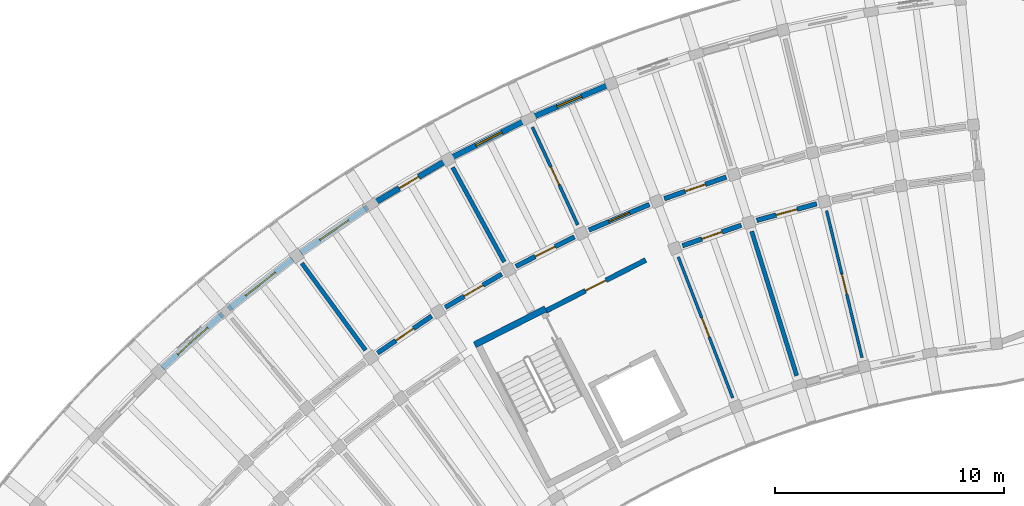
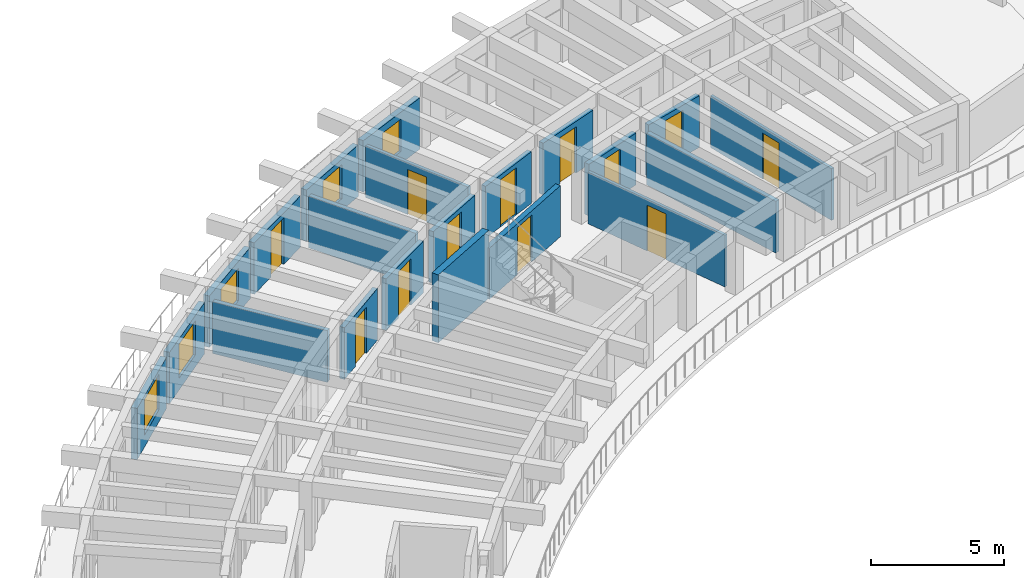
# One storey, part 28 of 56: 21 walls, 12 doors, 5 windows, 17 openings.
"""IFC4 building model written with IfcOpenShell, lengths in metres."""

from ifc_helpers import new_model, si_unit, direction, frame, frame_2d, origin, place, context, subcontext, project, spatial, rectangle, extrude, material, layer, layer_set, type_object, element, fill, save


model = new_model("IFC4")

# Units and contexts
model_context = context("Model", 3, precision=1e-05, world=origin(), true_north=direction((0.0, 1.0)))
body_context = subcontext(model_context, "Body", "Model", "MODEL_VIEW")
ifc_project = project(units=[si_unit("LENGTHUNIT", "METRE"), si_unit("AREAUNIT", "SQUARE_METRE"), si_unit("VOLUMEUNIT", "CUBIC_METRE"), si_unit("PLANEANGLEUNIT", "RADIAN"), si_unit("MASSUNIT", "GRAM", prefix="KILO")], contexts=[model_context])

# Site, building, storey
site_placement = place(None, origin())
site = spatial("IfcSite", under=ifc_project, at=site_placement, CompositionType="ELEMENT")
building_placement = place(site_placement, origin())
building = spatial("IfcBuilding", under=site, at=building_placement, Name="Tanwirah Colonnade Gardens", CompositionType="ELEMENT")
storey_placement = place(building_placement, frame((0.0, 0.0, 29.0)))
storey = spatial("IfcBuildingStorey", under=building, at=storey_placement, Name="L08", CompositionType="ELEMENT", Elevation=29.0)

# Wall, opening, window
ifc_material_1 = material(Name="Limestone architectural precast concrete C40/50", Category="masonry")
ifc_layer_1 = layer(ifc_material_1, 0.2451171875)
ifc_layer_set_1 = layer_set([ifc_layer_1], Name="Limestone architectural precast concrete C40/50")
wall_type_1 = type_object("IfcWallType", Name="EW-PC245", PredefinedType="SOLIDWALL", material=ifc_layer_set_1)
wall_1_placement = place(storey_placement, frame((43.348876953125, 115.667236328125, 0.0), z_axis=(0.0, 0.0, 1.0), x_axis=(-0.920498375564, -0.390746389088, 0.0)))
wall_1 = element("IfcWall", 1, at=wall_1_placement, inside=storey, type_object=wall_type_1, Name="Block A L08 OUT Precast Facade Wall 4", PredefinedType="SOLIDWALL", context=body_context, shape_type="SweptSolid", body=[
    extrude(rectangle(XDim=3.540771484375, YDim=0.2451171875, at=frame_2d((1.7705078125, 0.0))), origin(), (0.0, 0.0, 1.0), 2.35498046875),
])
opening_1_placement = place(wall_1_placement, frame((1.190185546875, 0.0, 0.550048828125)))
opening_1 = element("IfcOpeningElement", 2, at=opening_1_placement, cuts=wall_1, Name="Opening WIN-U01", PredefinedType="OPENING", context=body_context, shape_type="SweptSolid", body=[
    extrude(rectangle(XDim=1.159912109375, YDim=1.485107421875, at=frame_2d((0.580078125, 0.74267578125))), frame((0.0, 0.132568359375, 0.0), z_axis=(0.0, -1.0, 0.0), x_axis=(1.0, 0.0, 0.0)), (0.0, 0.0, 1.0), 0.26513671875),
])
ifc_material_2 = material(Name="Thermally broken bronze aluminium and solar low-E double glazing", Category="aluminium")
window_type_1 = type_object("IfcWindowType", Name="WIN-U01", PartitioningType="DOUBLE_PANEL_VERTICAL", PredefinedType="WINDOW", material=ifc_material_2)
window_1_placement = place(opening_1_placement, origin())
window_1 = element("IfcWindow", 3, at=window_1_placement, inside=storey, type_object=window_type_1, Name="Facade window A-L08-OUT-04", OverallHeight=1.485107421875, OverallWidth=1.159912109375, PartitioningType="SINGLE_PANEL", PredefinedType="WINDOW", context=body_context, shape_type="SweptSolid", body=[
    extrude(rectangle(XDim=1.159912109375, YDim=1.485107421875, at=frame_2d((0.580078125, 0.74267578125))), frame((0.0, 0.030029296875, 0.0), z_axis=(0.0, -1.0, 0.0), x_axis=(1.0, 0.0, 0.0)), (0.0, 0.0, 1.0), 0.06005859375),
])
fill(opening_1, window_1)

wall_2_placement = place(storey_placement, frame((39.79052734375, 114.14501953125, 0.0), z_axis=(0.0, 0.0, 1.0), x_axis=(-0.892766264705, -0.450520140066, 0.0)))
wall_2 = element("IfcWall", 4, at=wall_2_placement, inside=storey, type_object=wall_type_1, Name="Block A L08 OUT Precast Facade Wall 5", PredefinedType="SOLIDWALL", context=body_context, shape_type="SweptSolid", body=[
    extrude(rectangle(XDim=3.540771484375, YDim=0.2451171875, at=frame_2d((1.7705078125, 0.0))), origin(), (0.0, 0.0, 1.0), 2.35498046875),
])
opening_2_placement = place(wall_2_placement, frame((1.13037109375, 0.0, 0.550048828125)))
opening_2 = element("IfcOpeningElement", 5, at=opening_2_placement, cuts=wall_2, Name="Opening WIN-U04", PredefinedType="OPENING", context=body_context, shape_type="SweptSolid", body=[
    extrude(rectangle(XDim=1.280029296875, YDim=1.56005859375, at=frame_2d((0.64013671875, 0.780029296875))), frame((0.0, 0.132568359375, 0.0), z_axis=(0.0, -1.0, 0.0), x_axis=(1.0, 0.0, 0.0)), (0.0, 0.0, 1.0), 0.26513671875),
])
window_type_2 = type_object("IfcWindowType", Name="WIN-U04", PartitioningType="DOUBLE_PANEL_VERTICAL", PredefinedType="WINDOW", material=ifc_material_2)
window_2_placement = place(opening_2_placement, origin())
window_2 = element("IfcWindow", 6, at=window_2_placement, inside=storey, type_object=window_type_2, Name="Facade window A-L08-OUT-05", OverallHeight=1.56005859375, OverallWidth=1.280029296875, PartitioningType="SINGLE_PANEL", PredefinedType="WINDOW", context=body_context, shape_type="SweptSolid", body=[
    extrude(rectangle(XDim=1.280029296875, YDim=1.56005859375, at=frame_2d((0.64013671875, 0.780029296875))), frame((0.0, 0.030029296875, 0.0), z_axis=(0.0, -1.0, 0.0), x_axis=(1.0, 0.0, 0.0)), (0.0, 0.0, 1.0), 0.06005859375),
])
fill(opening_2, window_2)

# Wall, opening, door
wall_3_placement = place(storey_placement, frame((36.24365234375, 112.3388671875, 0.0), z_axis=(0.0, 0.0, 1.0), x_axis=(-0.861133733249, -0.508378494294, 0.0)))
wall_3 = element("IfcWall", 7, at=wall_3_placement, inside=storey, type_object=wall_type_1, Name="Block A L08 OUT Precast Facade Wall 6", PredefinedType="SOLIDWALL", context=body_context, shape_type="SweptSolid", body=[
    extrude(rectangle(XDim=3.540771484375, YDim=0.2451171875, at=frame_2d((1.7705078125, 0.0))), origin(), (0.0, 0.0, 1.0), 2.35498046875),
])
opening_3_placement = place(wall_3_placement, frame((1.2802734375, 0.0, 0.0)))
opening_3 = element("IfcOpeningElement", 8, at=opening_3_placement, cuts=wall_3, Name="Opening L08-ED038", PredefinedType="OPENING", context=body_context, shape_type="SweptSolid", body=[
    extrude(rectangle(XDim=0.97998046875, YDim=2.1201171875, at=frame_2d((0.489990234375, 1.06005859375))), frame((0.0, 0.132568359375, 0.0), z_axis=(0.0, -1.0, 0.0), x_axis=(1.0, 0.0, 0.0)), (0.0, 0.0, 1.0), 0.26513671875),
])
ifc_material_3 = material(Name="Bronze aluminium glazed balcony door", Category="aluminium")
door_type_1 = type_object("IfcDoorType", Name="ED-BAL098", OperationType="NOTDEFINED", PredefinedType="DOOR", material=ifc_material_3)
door_1_placement = place(opening_3_placement, origin())
door_1 = element("IfcDoor", 9, at=door_1_placement, inside=storey, type_object=door_type_1, Name="Balcony glazed door L08-ED038", OperationType="SINGLE_SWING_LEFT", OverallHeight=2.1201171875, OverallWidth=0.97998046875, PredefinedType="DOOR", context=body_context, shape_type="SweptSolid", body=[
    extrude(rectangle(XDim=0.97998046875, YDim=2.1201171875, at=frame_2d((0.489990234375, 1.06005859375))), frame((0.0, 0.02490234375, 0.0), z_axis=(0.0, -1.0, 0.0), x_axis=(1.0, 0.0, 0.0)), (0.0, 0.0, 1.0), 0.050048828125),
])
fill(opening_3, door_1)

# Wall, opening, window
wall_4_placement = place(storey_placement, frame((32.916259765625, 110.36181640625, 0.0), z_axis=(0.0, 0.0, 1.0), x_axis=(-0.825792366032, -0.563974262005, 0.0)))
wall_4 = element("IfcWall", 10, at=wall_4_placement, inside=storey, type_object=wall_type_1, Name="Block A L08 OUT Precast Facade Wall 7", PredefinedType="SOLIDWALL", context=body_context, shape_type="SweptSolid", body=[
    extrude(rectangle(XDim=3.54052734375, YDim=0.2451171875, at=frame_2d((1.770263671875, 0.0))), origin(), (0.0, 0.0, 1.0), 2.35498046875),
])
opening_4_placement = place(wall_4_placement, frame((1.01025390625, 0.0, 0.550048828125)))
opening_4 = element("IfcOpeningElement", 11, at=opening_4_placement, cuts=wall_4, Name="Opening WIN-U10", PredefinedType="OPENING", context=body_context, shape_type="SweptSolid", body=[
    extrude(rectangle(XDim=1.52001953125, YDim=1.485107421875, at=frame_2d((0.760009765625, 0.74267578125))), frame((0.0, 0.132568359375, 0.0), z_axis=(0.0, -1.0, 0.0), x_axis=(1.0, 0.0, 0.0)), (0.0, 0.0, 1.0), 0.26513671875),
])
window_type_3 = type_object("IfcWindowType", Name="WIN-U10", PartitioningType="DOUBLE_PANEL_VERTICAL", PredefinedType="WINDOW", material=ifc_material_2)
window_3_placement = place(opening_4_placement, origin())
window_3 = element("IfcWindow", 12, at=window_3_placement, inside=storey, type_object=window_type_3, Name="Facade window A-L08-OUT-07", OverallHeight=1.485107421875, OverallWidth=1.52001953125, PartitioningType="SINGLE_PANEL", PredefinedType="WINDOW", context=body_context, shape_type="SweptSolid", body=[
    extrude(rectangle(XDim=1.52001953125, YDim=1.485107421875, at=frame_2d((0.760009765625, 0.74267578125))), frame((0.0, 0.030029296875, 0.0), z_axis=(0.0, -1.0, 0.0), x_axis=(1.0, 0.0, 0.0)), (0.0, 0.0, 1.0), 0.06005859375),
])
fill(opening_4, window_3)

wall_5_placement = place(storey_placement, frame((29.6376953125, 108.10498046875, 0.0), z_axis=(0.0, 0.0, 1.0), x_axis=(-0.786813367299, -0.617190995592, 0.0)))
wall_5 = element("IfcWall", 13, at=wall_5_placement, inside=storey, type_object=wall_type_1, Name="Block A L08 OUT Precast Facade Wall 8", PredefinedType="SOLIDWALL", context=body_context, shape_type="SweptSolid", body=[
    extrude(rectangle(XDim=3.540771484375, YDim=0.2451171875, at=frame_2d((1.7705078125, 0.0))), origin(), (0.0, 0.0, 1.0), 2.35498046875),
])
opening_5_placement = place(wall_5_placement, frame((0.950439453125, 0.0, 0.550048828125)))
opening_5 = element("IfcOpeningElement", 14, at=opening_5_placement, cuts=wall_5, Name="Opening WIN-U13", PredefinedType="OPENING", context=body_context, shape_type="SweptSolid", body=[
    extrude(rectangle(XDim=1.639892578125, YDim=1.56005859375, at=frame_2d((0.81982421875, 0.780029296875))), frame((0.0, 0.132568359375, 0.0), z_axis=(0.0, -1.0, 0.0), x_axis=(1.0, 0.0, 0.0)), (0.0, 0.0, 1.0), 0.26513671875),
])
window_type_4 = type_object("IfcWindowType", Name="WIN-U13", PartitioningType="DOUBLE_PANEL_VERTICAL", PredefinedType="WINDOW", material=ifc_material_2)
window_4_placement = place(opening_5_placement, origin())
window_4 = element("IfcWindow", 15, at=window_4_placement, inside=storey, type_object=window_type_4, Name="Facade window A-L08-OUT-08", OverallHeight=1.56005859375, OverallWidth=1.639892578125, PartitioningType="SINGLE_PANEL", PredefinedType="WINDOW", context=body_context, shape_type="SweptSolid", body=[
    extrude(rectangle(XDim=1.639892578125, YDim=1.56005859375, at=frame_2d((0.81982421875, 0.780029296875))), frame((0.0, 0.030029296875, 0.0), z_axis=(0.0, -1.0, 0.0), x_axis=(1.0, 0.0, 0.0)), (0.0, 0.0, 1.0), 0.06005859375),
])
fill(opening_5, window_4)

wall_6_placement = place(storey_placement, frame((26.59912109375, 105.707763671875, 0.0), z_axis=(0.0, 0.0, 1.0), x_axis=(-0.744438243575, -0.667691322021, 0.0)))
wall_6 = element("IfcWall", 16, at=wall_6_placement, inside=storey, type_object=wall_type_1, Name="Block A L08 OUT Precast Facade Wall 9", PredefinedType="SOLIDWALL", context=body_context, shape_type="SweptSolid", body=[
    extrude(rectangle(XDim=3.54052734375, YDim=0.2451171875, at=frame_2d((1.770263671875, 0.0))), origin(), (0.0, 0.0, 1.0), 2.35498046875),
])
opening_6_placement = place(wall_6_placement, frame((0.890380859375, 0.0, 0.550048828125)))
opening_6 = element("IfcOpeningElement", 17, at=opening_6_placement, cuts=wall_6, Name="Opening WIN-U16", PredefinedType="OPENING", context=body_context, shape_type="SweptSolid", body=[
    extrude(rectangle(XDim=1.760009765625, YDim=1.635009765625, at=frame_2d((0.8798828125, 0.8173828125))), frame((0.0, 0.132568359375, 0.0), z_axis=(0.0, -1.0, 0.0), x_axis=(1.0, 0.0, 0.0)), (0.0, 0.0, 1.0), 0.26513671875),
])
window_type_5 = type_object("IfcWindowType", Name="WIN-U16", PartitioningType="DOUBLE_PANEL_VERTICAL", PredefinedType="WINDOW", material=ifc_material_2)
window_5_placement = place(opening_6_placement, origin())
window_5 = element("IfcWindow", 18, at=window_5_placement, inside=storey, type_object=window_type_5, Name="Facade window A-L08-OUT-09", OverallHeight=1.635009765625, OverallWidth=1.760009765625, PartitioningType="SINGLE_PANEL", PredefinedType="WINDOW", context=body_context, shape_type="SweptSolid", body=[
    extrude(rectangle(XDim=1.760009765625, YDim=1.635009765625, at=frame_2d((0.8798828125, 0.8173828125))), frame((0.0, 0.030029296875, 0.0), z_axis=(0.0, -1.0, 0.0), x_axis=(1.0, 0.0, 0.0)), (0.0, 0.0, 1.0), 0.06005859375),
])
fill(opening_6, window_5)

# Wall, opening, door
ifc_material_4 = material(Name="Precast concrete C40/50", Category="concrete")
ifc_layer_2 = layer(ifc_material_4, 0.205078125)
ifc_layer_set_2 = layer_set([ifc_layer_2], Name="Precast concrete C40/50")
wall_type_2 = type_object("IfcWallType", Name="IW-CORR205", PredefinedType="PARTITIONING", material=ifc_layer_set_2)
wall_7_placement = place(storey_placement, frame((52.509521484375, 110.512451171875, 0.0), z_axis=(0.0, 0.0, 1.0), x_axis=(-0.96388375821, -0.266323301006, 0.0)))
wall_7 = element("IfcWall", 19, at=wall_7_placement, inside=storey, type_object=wall_type_2, Name="Block A L08 IN Corridor Wall 2", PredefinedType="PARTITIONING", context=body_context, shape_type="SweptSolid", body=[
    extrude(rectangle(XDim=2.718017578125, YDim=0.205078125, at=frame_2d((1.35888671875, 0.0))), origin(), (0.0, 0.0, 1.0), 2.3701171875),
])
opening_7_placement = place(wall_7_placement, frame((0.884033203125, 0.0, 0.0)))
opening_7 = element("IfcOpeningElement", 20, at=opening_7_placement, cuts=wall_7, Name="Opening L08-AD563", PredefinedType="OPENING", context=body_context, shape_type="SweptSolid", body=[
    extrude(rectangle(XDim=0.949951171875, YDim=2.1298828125, at=frame_2d((0.47509765625, 1.06494140625))), frame((0.0, 0.112548828125, 0.0), z_axis=(0.0, -1.0, 0.0), x_axis=(1.0, 0.0, 0.0)), (0.0, 0.0, 1.0), 0.22509765625),
])
ifc_material_5 = material(Name="Solid oak fire-resisting apartment entrance door")
door_type_2 = type_object("IfcDoorType", Name="ID-FLT095", OperationType="NOTDEFINED", PredefinedType="DOOR", material=ifc_material_5)
door_2_placement = place(opening_7_placement, origin())
door_2 = element("IfcDoor", 21, at=door_2_placement, inside=storey, type_object=door_type_2, Name="Apartment corridor door L08-AD563", OperationType="SINGLE_SWING_RIGHT", OverallHeight=2.1298828125, OverallWidth=0.949951171875, PredefinedType="DOOR", context=body_context, shape_type="SweptSolid", body=[
    extrude(rectangle(XDim=0.949951171875, YDim=2.1298828125, at=frame_2d((0.47509765625, 1.06494140625))), frame((0.0, 0.02490234375, 0.0), z_axis=(0.0, -1.0, 0.0), x_axis=(1.0, 0.0, 0.0)), (0.0, 0.0, 1.0), 0.050048828125),
])
fill(opening_7, door_2)

wall_8_placement = place(storey_placement, frame((48.56640625, 111.68017578125, 0.0), z_axis=(0.0, 0.0, 1.0), x_axis=(-0.944253820929, -0.329218349522, 0.0)))
wall_8 = element("IfcWall", 22, at=wall_8_placement, inside=storey, type_object=wall_type_2, Name="Block A L08 OUT Corridor Wall 3", PredefinedType="PARTITIONING", context=body_context, shape_type="SweptSolid", body=[
    extrude(rectangle(XDim=2.86328125, YDim=0.205078125, at=frame_2d((1.431640625, 0.0))), origin(), (0.0, 0.0, 1.0), 2.3701171875),
])
opening_8_placement = place(wall_8_placement, frame((0.966552734375, 0.0, 0.0)))
opening_8 = element("IfcOpeningElement", 23, at=opening_8_placement, cuts=wall_8, Name="Opening L08-AD565", PredefinedType="OPENING", context=body_context, shape_type="SweptSolid", body=[
    extrude(rectangle(XDim=0.929931640625, YDim=2.1201171875, at=frame_2d((0.46484375, 1.06005859375))), frame((0.0, 0.112548828125, 0.0), z_axis=(0.0, -1.0, 0.0), x_axis=(1.0, 0.0, 0.0)), (0.0, 0.0, 1.0), 0.22509765625),
])
door_type_3 = type_object("IfcDoorType", Name="ID-FLT093", OperationType="NOTDEFINED", PredefinedType="DOOR", material=ifc_material_5)
door_3_placement = place(opening_8_placement, origin())
door_3 = element("IfcDoor", 24, at=door_3_placement, inside=storey, type_object=door_type_3, Name="Apartment corridor door L08-AD565", OperationType="SINGLE_SWING_RIGHT", OverallHeight=2.1201171875, OverallWidth=0.929931640625, PredefinedType="DOOR", context=body_context, shape_type="SweptSolid", body=[
    extrude(rectangle(XDim=0.929931640625, YDim=2.1201171875, at=frame_2d((0.46484375, 1.06005859375))), frame((0.0, 0.02490234375, 0.0), z_axis=(0.0, -1.0, 0.0), x_axis=(1.0, 0.0, 0.0)), (0.0, 0.0, 1.0), 0.050048828125),
])
fill(opening_8, door_3)

wall_9_placement = place(storey_placement, frame((49.221923828125, 109.580078125, 0.0), z_axis=(0.0, 0.0, 1.0), x_axis=(-0.944265123647, -0.329185929627, 0.0)))
wall_9 = element("IfcWall", 25, at=wall_9_placement, inside=storey, type_object=wall_type_2, Name="Block A L08 IN Corridor Wall 3", PredefinedType="PARTITIONING", context=body_context, shape_type="SweptSolid", body=[
    extrude(rectangle(XDim=2.71826171875, YDim=0.205078125, at=frame_2d((1.359130859375, 0.0))), origin(), (0.0, 0.0, 1.0), 2.3701171875),
])
opening_9_placement = place(wall_9_placement, frame((0.89404296875, 0.0, 0.0)))
opening_9 = element("IfcOpeningElement", 26, at=opening_9_placement, cuts=wall_9, Name="Opening L08-AD566", PredefinedType="OPENING", context=body_context, shape_type="SweptSolid", body=[
    extrude(rectangle(XDim=0.929931640625, YDim=2.1201171875, at=frame_2d((0.46484375, 1.06005859375))), frame((0.0, 0.112548828125, 0.0), z_axis=(0.0, -1.0, 0.0), x_axis=(1.0, 0.0, 0.0)), (0.0, 0.0, 1.0), 0.22509765625),
])
door_4_placement = place(opening_9_placement, origin())
door_4 = element("IfcDoor", 27, at=door_4_placement, inside=storey, type_object=door_type_3, Name="Apartment corridor door L08-AD566", OperationType="SINGLE_SWING_LEFT", OverallHeight=2.1201171875, OverallWidth=0.929931640625, PredefinedType="DOOR", context=body_context, shape_type="SweptSolid", body=[
    extrude(rectangle(XDim=0.929931640625, YDim=2.1201171875, at=frame_2d((0.46484375, 1.06005859375))), frame((0.0, 0.02490234375, 0.0), z_axis=(0.0, -1.0, 0.0), x_axis=(1.0, 0.0, 0.0)), (0.0, 0.0, 1.0), 0.050048828125),
])
fill(opening_9, door_4)

wall_10_placement = place(storey_placement, frame((45.210205078125, 110.485595703125, 0.0), z_axis=(0.0, 0.0, 1.0), x_axis=(-0.920511160294, -0.390716270168, 0.0)))
wall_10 = element("IfcWall", 28, at=wall_10_placement, inside=storey, type_object=wall_type_2, Name="Block A L08 OUT Corridor Wall 4", PredefinedType="PARTITIONING", context=body_context, shape_type="SweptSolid", body=[
    extrude(rectangle(XDim=2.863037109375, YDim=0.205078125, at=frame_2d((1.431640625, 0.0))), origin(), (0.0, 0.0, 1.0), 2.3701171875),
])
opening_10_placement = place(wall_10_placement, frame((0.9365234375, 0.0, 0.0)))
opening_10 = element("IfcOpeningElement", 29, at=opening_10_placement, cuts=wall_10, Name="Opening L08-AD568", PredefinedType="OPENING", context=body_context, shape_type="SweptSolid", body=[
    extrude(rectangle(XDim=0.989990234375, YDim=2.159912109375, at=frame_2d((0.4951171875, 1.080078125))), frame((0.0, 0.112548828125, 0.0), z_axis=(0.0, -1.0, 0.0), x_axis=(1.0, 0.0, 0.0)), (0.0, 0.0, 1.0), 0.22509765625),
])
door_type_4 = type_object("IfcDoorType", Name="ID-FLT099", OperationType="NOTDEFINED", PredefinedType="DOOR", material=ifc_material_5)
door_5_placement = place(opening_10_placement, origin())
door_5 = element("IfcDoor", 30, at=door_5_placement, inside=storey, type_object=door_type_4, Name="Apartment corridor door L08-AD568", OperationType="SINGLE_SWING_LEFT", OverallHeight=2.159912109375, OverallWidth=0.989990234375, PredefinedType="DOOR", context=body_context, shape_type="SweptSolid", body=[
    extrude(rectangle(XDim=0.989990234375, YDim=2.159912109375, at=frame_2d((0.4951171875, 1.080078125))), frame((0.0, 0.02490234375, 0.0), z_axis=(0.0, -1.0, 0.0), x_axis=(1.0, 0.0, 0.0)), (0.0, 0.0, 1.0), 0.050048828125),
])
fill(opening_10, door_5)

wall_11_placement = place(storey_placement, frame((41.93994140625, 109.072509765625, 0.0), z_axis=(0.0, 0.0, 1.0), x_axis=(-0.89273239336, -0.450587254419, 0.0)))
wall_11 = element("IfcWall", 31, at=wall_11_placement, inside=storey, type_object=wall_type_2, Name="Block A L08 OUT Corridor Wall 5", PredefinedType="PARTITIONING", context=body_context, shape_type="SweptSolid", body=[
    extrude(rectangle(XDim=2.863037109375, YDim=0.205078125, at=frame_2d((1.431640625, 0.0))), origin(), (0.0, 0.0, 1.0), 2.3701171875),
])
opening_11_placement = place(wall_11_placement, frame((0.946533203125, 0.0, 0.0)))
opening_11 = element("IfcOpeningElement", 32, at=opening_11_placement, cuts=wall_11, Name="Opening L08-AD570", PredefinedType="OPENING", context=body_context, shape_type="SweptSolid", body=[
    extrude(rectangle(XDim=0.969970703125, YDim=2.14990234375, at=frame_2d((0.48486328125, 1.074951171875))), frame((0.0, 0.112548828125, 0.0), z_axis=(0.0, -1.0, 0.0), x_axis=(1.0, 0.0, 0.0)), (0.0, 0.0, 1.0), 0.22509765625),
])
door_type_5 = type_object("IfcDoorType", Name="ID-FLT097", OperationType="NOTDEFINED", PredefinedType="DOOR", material=ifc_material_5)
door_6_placement = place(opening_11_placement, origin())
door_6 = element("IfcDoor", 33, at=door_6_placement, inside=storey, type_object=door_type_5, Name="Apartment corridor door L08-AD570", OperationType="SINGLE_SWING_RIGHT", OverallHeight=2.14990234375, OverallWidth=0.969970703125, PredefinedType="DOOR", context=body_context, shape_type="SweptSolid", body=[
    extrude(rectangle(XDim=0.969970703125, YDim=2.14990234375, at=frame_2d((0.48486328125, 1.074951171875))), frame((0.0, 0.02490234375, 0.0), z_axis=(0.0, -1.0, 0.0), x_axis=(1.0, 0.0, 0.0)), (0.0, 0.0, 1.0), 0.050048828125),
])
fill(opening_11, door_6)

wall_12_placement = place(storey_placement, frame((38.77001953125, 107.447021484375, 0.0), z_axis=(0.0, 0.0, 1.0), x_axis=(-0.861113214678, -0.508413248753, 0.0)))
wall_12 = element("IfcWall", 34, at=wall_12_placement, inside=storey, type_object=wall_type_2, Name="Block A L08 OUT Corridor Wall 6", PredefinedType="PARTITIONING", context=body_context, shape_type="SweptSolid", body=[
    extrude(rectangle(XDim=2.863037109375, YDim=0.205078125, at=frame_2d((1.431640625, 0.0))), origin(), (0.0, 0.0, 1.0), 2.3701171875),
])
opening_12_placement = place(wall_12_placement, frame((0.95654296875, 0.0, 0.0)))
opening_12 = element("IfcOpeningElement", 35, at=opening_12_placement, cuts=wall_12, Name="Opening L08-AD571", PredefinedType="OPENING", context=body_context, shape_type="SweptSolid", body=[
    extrude(rectangle(XDim=0.949951171875, YDim=2.1298828125, at=frame_2d((0.47509765625, 1.06494140625))), frame((0.0, 0.112548828125, 0.0), z_axis=(0.0, -1.0, 0.0), x_axis=(1.0, 0.0, 0.0)), (0.0, 0.0, 1.0), 0.22509765625),
])
door_7_placement = place(opening_12_placement, origin())
door_7 = element("IfcDoor", 36, at=door_7_placement, inside=storey, type_object=door_type_2, Name="Apartment corridor door L08-AD571", OperationType="SINGLE_SWING_LEFT", OverallHeight=2.1298828125, OverallWidth=0.949951171875, PredefinedType="DOOR", context=body_context, shape_type="SweptSolid", body=[
    extrude(rectangle(XDim=0.949951171875, YDim=2.1298828125, at=frame_2d((0.47509765625, 1.06494140625))), frame((0.0, 0.02490234375, 0.0), z_axis=(0.0, -1.0, 0.0), x_axis=(1.0, 0.0, 0.0)), (0.0, 0.0, 1.0), 0.050048828125),
])
fill(opening_12, door_7)

wall_13_placement = place(storey_placement, frame((35.714111328125, 105.615966796875, 0.0), z_axis=(0.0, 0.0, 1.0), x_axis=(-0.825779671787, -0.563992848947, 0.0)))
wall_13 = element("IfcWall", 37, at=wall_13_placement, inside=storey, type_object=wall_type_2, Name="Block A L08 OUT Corridor Wall 7", PredefinedType="PARTITIONING", context=body_context, shape_type="SweptSolid", body=[
    extrude(rectangle(XDim=2.863037109375, YDim=0.205078125, at=frame_2d((1.431640625, 0.0))), origin(), (0.0, 0.0, 1.0), 2.3701171875),
])
opening_13_placement = place(wall_13_placement, frame((0.966552734375, 0.0, 0.0)))
opening_13 = element("IfcOpeningElement", 38, at=opening_13_placement, cuts=wall_13, Name="Opening L08-AD572", PredefinedType="OPENING", context=body_context, shape_type="SweptSolid", body=[
    extrude(rectangle(XDim=0.929931640625, YDim=2.1201171875, at=frame_2d((0.46484375, 1.06005859375))), frame((0.0, 0.112548828125, 0.0), z_axis=(0.0, -1.0, 0.0), x_axis=(1.0, 0.0, 0.0)), (0.0, 0.0, 1.0), 0.22509765625),
])
door_8_placement = place(opening_13_placement, origin())
door_8 = element("IfcDoor", 39, at=door_8_placement, inside=storey, type_object=door_type_3, Name="Apartment corridor door L08-AD572", OperationType="SINGLE_SWING_RIGHT", OverallHeight=2.1201171875, OverallWidth=0.929931640625, PredefinedType="DOOR", context=body_context, shape_type="SweptSolid", body=[
    extrude(rectangle(XDim=0.929931640625, YDim=2.1201171875, at=frame_2d((0.46484375, 1.06005859375))), frame((0.0, 0.02490234375, 0.0), z_axis=(0.0, -1.0, 0.0), x_axis=(1.0, 0.0, 0.0)), (0.0, 0.0, 1.0), 0.050048828125),
])
fill(opening_13, door_8)

# Walls
ifc_layer_3 = layer(ifc_material_4, 0.18505859375)
ifc_layer_set_3 = layer_set([ifc_layer_3], Name="Precast concrete C40/50")
wall_type_3 = type_object("IfcWallType", Name="IW-DEM185", PredefinedType="PARTITIONING", material=ifc_layer_set_3)
wall_14_placement = place(storey_placement, frame((51.637939453125, 103.01318359375, 0.0), z_axis=(0.0, 0.0, 1.0), x_axis=(-0.2979590431, 0.954578655028, 0.0)))
element("IfcWall", 40, at=wall_14_placement, inside=storey, type_object=wall_type_3, Name="Block A L08 Inner Radial Partition 2", PredefinedType="PARTITIONING", context=body_context, shape_type="SweptSolid", body=[
    extrude(rectangle(XDim=6.60009765625, YDim=0.18505859375, at=frame_2d((3.300048828125, 0.0))), origin(), (0.0, 0.0, 1.0), 2.3701171875),
])
wall_15_placement = place(storey_placement, frame((38.879638671875, 107.975830078125, 0.0), z_axis=(0.0, 0.0, 1.0), x_axis=(-0.479721743761, 0.877420679357, 0.0)))
element("IfcWall", 41, at=wall_15_placement, inside=storey, type_object=wall_type_3, Name="Block A L08 Radial Partition 5", PredefinedType="PARTITIONING", context=body_context, shape_type="SweptSolid", body=[
    extrude(rectangle(XDim=4.699951171875, YDim=0.18505859375, at=frame_2d((2.35009765625, 0.0))), origin(), (0.0, 0.0, 1.0), 2.3701171875),
])
wall_16_placement = place(storey_placement, frame((32.824462890625, 104.12646484375, 0.0), z_axis=(0.0, 0.0, 1.0), x_axis=(-0.590910940129, 0.806736797745, 0.0)))
element("IfcWall", 42, at=wall_16_placement, inside=storey, type_object=wall_type_3, Name="Block A L08 Radial Partition 7", PredefinedType="PARTITIONING", context=body_context, shape_type="SweptSolid", body=[
    extrude(rectangle(XDim=4.7001953125, YDim=0.18505859375, at=frame_2d((2.35009765625, 0.0))), origin(), (0.0, 0.0, 1.0), 2.3701171875),
])

# Wall, opening, door
ifc_material_6 = material(Name="Autoclaved aerated masonry blockwork", Category="masonry")
ifc_layer_4 = layer(ifc_material_6, 0.219970703125)
ifc_layer_set_4 = layer_set([ifc_layer_4], Name="Autoclaved aerated masonry blockwork")
wall_type_4 = type_object("IfcWallType", Name="IW-FFL220", PredefinedType="PARTITIONING", material=ifc_layer_set_4)
wall_17_placement = place(storey_placement, frame((40.68212890625, 105.833740234375, 0.0), z_axis=(0.0, 0.0, 1.0), x_axis=(0.891003372311, 0.453996685595, 0.0)))
wall_17 = element("IfcWall", 43, at=wall_17_placement, inside=storey, type_object=wall_type_4, Name="CORE-A1 L08 Enclosed Lobby Fire Wall", PredefinedType="PARTITIONING", context=body_context, shape_type="SweptSolid", body=[
    extrude(rectangle(XDim=4.900146484375, YDim=0.219970703125, at=frame_2d((2.4501953125, 0.0))), origin(), (0.0, 0.0, 1.0), 2.340087890625),
])
opening_14_placement = place(wall_17_placement, frame((1.949951171875, 0.0, 0.0)))
opening_14 = element("IfcOpeningElement", 44, at=opening_14_placement, cuts=wall_17, Name="Opening L08-LD026", PredefinedType="OPENING", context=body_context, shape_type="SweptSolid", body=[
    extrude(rectangle(XDim=1.0, YDim=2.14990234375, at=frame_2d((0.5, 1.074951171875))), frame((0.0, 0.119873046875, 0.0), z_axis=(0.0, -1.0, 0.0), x_axis=(1.0, 0.0, 0.0)), (0.0, 0.0, 1.0), 0.239990234375),
])
ifc_material_7 = material(Name="Acoustic fire-resisting lobby door")
door_type_6 = type_object("IfcDoorType", Name="ID-FFL100", OperationType="NOTDEFINED", PredefinedType="DOOR", material=ifc_material_7)
door_9_placement = place(opening_14_placement, origin())
door_9 = element("IfcDoor", 45, at=door_9_placement, inside=storey, type_object=door_type_6, Name="CORE-A1 L08 Lobby Fire Door L08-LD026", OperationType="SINGLE_SWING_LEFT", OverallHeight=2.14990234375, OverallWidth=1.0, PredefinedType="DOOR", context=body_context, shape_type="SweptSolid", body=[
    extrude(rectangle(XDim=1.0, YDim=2.14990234375, at=frame_2d((0.5, 1.074951171875))), frame((0.0, 0.02490234375, 0.0), z_axis=(0.0, -1.0, 0.0), x_axis=(1.0, 0.0, 0.0)), (0.0, 0.0, 1.0), 0.050048828125),
])
fill(opening_14, door_9)

ifc_material_8 = material(Name="Moisture-resistant gypsum stud partition")
ifc_layer_5 = layer(ifc_material_8, 0.125)
ifc_layer_set_5 = layer_set([ifc_layer_5], Name="Moisture-resistant gypsum stud partition")
wall_type_5 = type_object("IfcWallType", Name="IW-INT125", PredefinedType="PARTITIONING", material=ifc_layer_set_5)
wall_18_placement = place(storey_placement, frame((54.48779296875, 103.800537109375, 0.0), z_axis=(0.0, 0.0, 1.0), x_axis=(-0.234406698576, 0.972138621629, 0.0)))
wall_18 = element("IfcWall", 46, at=wall_18_placement, inside=storey, type_object=wall_type_5, Name="Block A L08 Inner Radial Partition 1", PredefinedType="PARTITIONING", context=body_context, shape_type="SweptSolid", body=[
    extrude(rectangle(XDim=6.60009765625, YDim=0.125, at=frame_2d((3.300048828125, 0.0))), origin(), (0.0, 0.0, 1.0), 2.3701171875),
])
opening_15_placement = place(wall_18_placement, frame((2.85498046875, 0.0, 0.0)))
opening_15 = element("IfcOpeningElement", 47, at=opening_15_placement, cuts=wall_18, Name="Opening L08-RD561", PredefinedType="OPENING", context=body_context, shape_type="SweptSolid", body=[
    extrude(rectangle(XDim=0.889892578125, YDim=2.10009765625, at=frame_2d((0.44482421875, 1.050048828125))), frame((0.0, 0.072509765625, 0.0), z_axis=(0.0, -1.0, 0.0), x_axis=(1.0, 0.0, 0.0)), (0.0, 0.0, 1.0), 0.14501953125),
])
ifc_material_9 = material(Name="Painted hardwood bedroom door", Category="wood")
door_type_7 = type_object("IfcDoorType", Name="ID-RM089", OperationType="NOTDEFINED", PredefinedType="DOOR", material=ifc_material_9)
door_10_placement = place(opening_15_placement, origin())
door_10 = element("IfcDoor", 48, at=door_10_placement, inside=storey, type_object=door_type_7, Name="Internal apartment door L08-RD561", OperationType="SINGLE_SWING_LEFT", OverallHeight=2.10009765625, OverallWidth=0.889892578125, PredefinedType="DOOR", context=body_context, shape_type="SweptSolid", body=[
    extrude(rectangle(XDim=0.889892578125, YDim=2.10009765625, at=frame_2d((0.44482421875, 1.050048828125))), frame((0.0, 0.02490234375, 0.0), z_axis=(0.0, -1.0, 0.0), x_axis=(1.0, 0.0, 0.0)), (0.0, 0.0, 1.0), 0.050048828125),
])
fill(opening_15, door_10)

wall_19_placement = place(storey_placement, frame((48.845947265625, 102.039794921875, 0.0), z_axis=(0.0, 0.0, 1.0), x_axis=(-0.360183473608, 0.932881485152, 0.0)))
wall_19 = element("IfcWall", 49, at=wall_19_placement, inside=storey, type_object=wall_type_5, Name="Block A L08 Inner Radial Partition 3", PredefinedType="PARTITIONING", context=body_context, shape_type="SweptSolid", body=[
    extrude(rectangle(XDim=6.599853515625, YDim=0.125, at=frame_2d((3.2998046875, 0.0))), origin(), (0.0, 0.0, 1.0), 2.3701171875),
])
opening_16_placement = place(wall_19_placement, frame((2.844970703125, 0.0, 0.0)))
opening_16 = element("IfcOpeningElement", 50, at=opening_16_placement, cuts=wall_19, Name="Opening L08-RD567", PredefinedType="OPENING", context=body_context, shape_type="SweptSolid", body=[
    extrude(rectangle(XDim=0.909912109375, YDim=2.10009765625, at=frame_2d((0.455078125, 1.050048828125))), frame((0.0, 0.072509765625, 0.0), z_axis=(0.0, -1.0, 0.0), x_axis=(1.0, 0.0, 0.0)), (0.0, 0.0, 1.0), 0.14501953125),
])
ifc_material_10 = material(Name="Painted hardwood internal room door", Category="wood")
door_type_8 = type_object("IfcDoorType", Name="ID-RM091", OperationType="NOTDEFINED", PredefinedType="DOOR", material=ifc_material_10)
door_11_placement = place(opening_16_placement, origin())
door_11 = element("IfcDoor", 51, at=door_11_placement, inside=storey, type_object=door_type_8, Name="Internal apartment door L08-RD567", OperationType="SINGLE_SWING_LEFT", OverallHeight=2.10009765625, OverallWidth=0.909912109375, PredefinedType="DOOR", context=body_context, shape_type="SweptSolid", body=[
    extrude(rectangle(XDim=0.909912109375, YDim=2.10009765625, at=frame_2d((0.455078125, 1.050048828125))), frame((0.0, 0.02490234375, 0.0), z_axis=(0.0, -1.0, 0.0), x_axis=(1.0, 0.0, 0.0)), (0.0, 0.0, 1.0), 0.050048828125),
])
fill(opening_16, door_11)

ifc_material_11 = material(Name="Water-resistant acoustic plumbing partition")
ifc_layer_6 = layer(ifc_material_11, 0.139892578125)
ifc_layer_set_6 = layer_set([ifc_layer_6], Name="Water-resistant acoustic plumbing partition")
wall_type_6 = type_object("IfcWallType", Name="IW-WET140", PredefinedType="PLUMBINGWALL", material=ifc_layer_set_6)
wall_20_placement = place(storey_placement, frame((42.084228515625, 109.593017578125, 0.0), z_axis=(0.0, 0.0, 1.0), x_axis=(-0.420862519045, 0.907124434718, 0.0)))
wall_20 = element("IfcWall", 52, at=wall_20_placement, inside=storey, type_object=wall_type_6, Name="Block A L08 Radial Partition 4", PredefinedType="PLUMBINGWALL", context=body_context, shape_type="SweptSolid", body=[
    extrude(rectangle(XDim=4.699951171875, YDim=0.139892578125, at=frame_2d((2.35009765625, 0.0))), origin(), (0.0, 0.0, 1.0), 2.3701171875),
])
opening_17_placement = place(wall_20_placement, frame((1.919921875, 0.0, 0.0)))
opening_17 = element("IfcOpeningElement", 53, at=opening_17_placement, cuts=wall_20, Name="Opening L08-RD569", PredefinedType="OPENING", context=body_context, shape_type="SweptSolid", body=[
    extrude(rectangle(XDim=0.860107421875, YDim=2.06005859375, at=frame_2d((0.43017578125, 1.030029296875))), frame((0.0, 0.079833984375, 0.0), z_axis=(0.0, -1.0, 0.0), x_axis=(1.0, 0.0, 0.0)), (0.0, 0.0, 1.0), 0.159912109375),
])
ifc_material_12 = material(Name="Moisture-resistant bathroom door")
door_type_9 = type_object("IfcDoorType", Name="ID-WET086", OperationType="NOTDEFINED", PredefinedType="DOOR", material=ifc_material_12)
door_12_placement = place(opening_17_placement, origin())
door_12 = element("IfcDoor", 54, at=door_12_placement, inside=storey, type_object=door_type_9, Name="Internal apartment door L08-RD569", OperationType="SINGLE_SWING_LEFT", OverallHeight=2.06005859375, OverallWidth=0.860107421875, PredefinedType="DOOR", context=body_context, shape_type="SweptSolid", body=[
    extrude(rectangle(XDim=0.860107421875, YDim=2.06005859375, at=frame_2d((0.43017578125, 1.030029296875))), frame((0.0, 0.02490234375, 0.0), z_axis=(0.0, -1.0, 0.0), x_axis=(1.0, 0.0, 0.0)), (0.0, 0.0, 1.0), 0.050048828125),
])
fill(opening_17, door_12)

# Wall
ifc_material_13 = material(Name="Concrete C45/55", Category="concrete")
ifc_layer_7 = layer(ifc_material_13, 0.280029296875)
ifc_layer_set_7 = layer_set([ifc_layer_7], Name="Concrete C45/55")
wall_type_7 = type_object("IfcWallType", Name="SW-CORE280", PredefinedType="SHEAR", material=ifc_layer_set_7)
wall_21_placement = place(storey_placement, frame((37.585205078125, 104.356689453125, 0.0), z_axis=(0.0, 0.0, 1.0), x_axis=(0.891020222667, 0.453963613958, 0.0)))
element("IfcWall", 55, at=wall_21_placement, inside=storey, type_object=wall_type_7, Name="CORE-A1 L08 Stair Shaft Shear Wall NEAR", PredefinedType="SHEAR", context=body_context, shape_type="SweptSolid", body=[
    extrude(rectangle(XDim=3.47998046875, YDim=0.280029296875, at=frame_2d((1.739990234375, 0.0))), origin(), (0.0, 0.0, 1.0), 3.110107421875),
])

save(model, "model.ifc")
